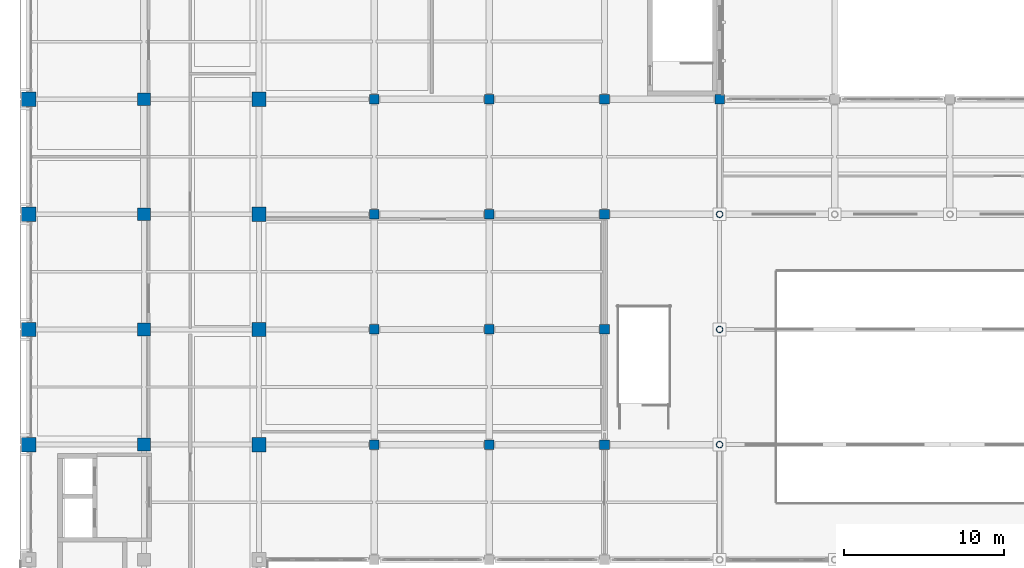
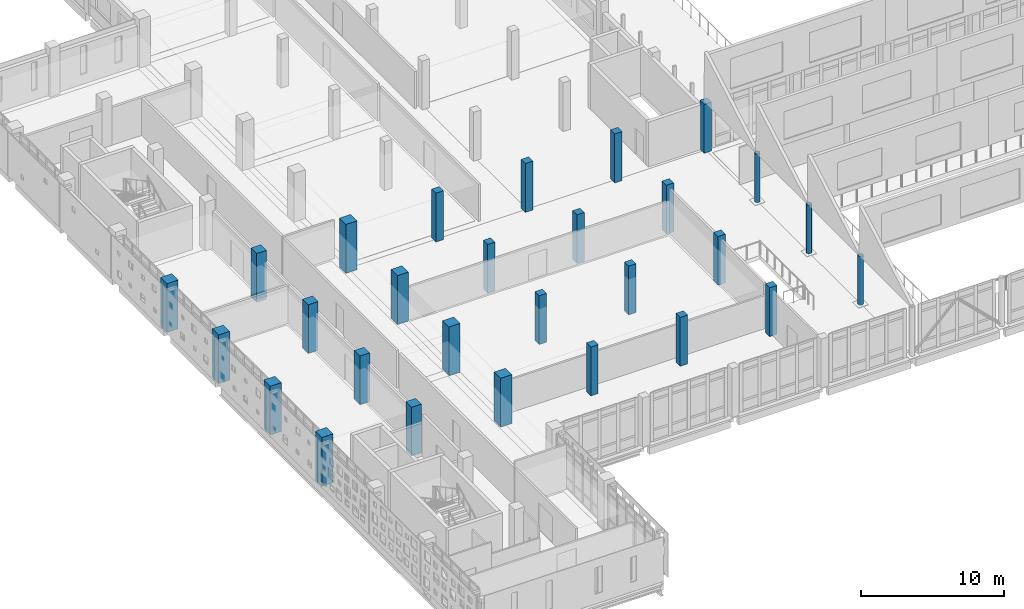
# One storey, part 3 of 62: 28 columns.
"""IFC4 building model written with IfcOpenShell, lengths in metres."""

import ifcopenshell
import ifcopenshell.guid

model = None  # the IFC model being written
_history = None  # IfcOwnerHistory: only IFC2X3 demands one
_inside = {}  # id of a spatial element -> (the spatial element, [elements in it])
_under = {}  # id of a project, library or spatial element -> (it, [spatial elements below it])
_declared = {}  # id of a project -> (the project, [libraries it declares])
_typed = {}  # id of a type object -> (the type object, [elements of that type])
_made_of = {}  # id of a material, layer set ... -> (it, [elements and type objects made of it])


def new_model(schema):
    """Start an empty IFC model of exactly this schema.

    Asked for "IFC4X3", IfcOpenShell would pick the latest addendum, in which some entities
    have other attributes; the version numbers below select the first issue.
    IFC2X3 requires an IfcOwnerHistory on every rooted entity: one is made here for all.
    """
    global model, _history
    if schema == "IFC4X3":
        model = ifcopenshell.file(schema_version=(4, 3, 0, 0))
    else:
        model = ifcopenshell.file(schema=schema)
    _inside.clear()
    _under.clear()
    _declared.clear()
    _typed.clear()
    _made_of.clear()
    _history = None
    if model.schema == "IFC2X3":
        org = make("IfcOrganization", Name="unknown")
        user = make(
            "IfcPersonAndOrganization",
            ThePerson=make("IfcPerson", FamilyName="unknown"),
            TheOrganization=org,
        )
        app = make(
            "IfcApplication",
            ApplicationDeveloper=org,
            Version="unknown",
            ApplicationFullName="unknown",
            ApplicationIdentifier="unknown",
        )
        _history = make(
            "IfcOwnerHistory",
            OwningUser=user,
            OwningApplication=app,
            ChangeAction="ADDED",
            CreationDate=0,
        )
    return model


def make(cls, **values):
    """One entity of the class cls with the attributes given. An attribute that is None is left unset."""
    return model.create_entity(
        cls, **{name: value for name, value in values.items() if value is not None}
    )


def rooted(cls, **values):
    """An entity with a GlobalId (a new one), such as an element, a storey or a relation."""
    return make(cls, GlobalId=ifcopenshell.guid.new(), OwnerHistory=_history, **values)


def si_unit(unit_type, name, prefix=None):
    """IfcSIUnit, for example si_unit("LENGTHUNIT", "METRE", prefix="MILLI")."""
    return make("IfcSIUnit", UnitType=unit_type, Prefix=prefix, Name=name)


def assignment(units):
    """IfcUnitAssignment: the units of a project."""
    return None if units is None else make("IfcUnitAssignment", Units=units)


def point(xyz):
    """IfcCartesianPoint."""
    return None if xyz is None else make("IfcCartesianPoint", Coordinates=xyz)


def direction(xyz):
    """IfcDirection."""
    return None if xyz is None else make("IfcDirection", DirectionRatios=xyz)


def frame(location, z_axis=None, x_axis=None):
    """IfcAxis2Placement3D, a coordinate frame: its origin and axes. An axis left out is left unset."""
    return make(
        "IfcAxis2Placement3D",
        Location=point(location),
        Axis=direction(z_axis),
        RefDirection=direction(x_axis),
    )


def frame_2d(location, x_axis=None):
    """IfcAxis2Placement2D, a coordinate frame in the plane: its origin and x axis."""
    return make(
        "IfcAxis2Placement2D", Location=point(location), RefDirection=direction(x_axis)
    )


def origin():
    """The frame at (0, 0, 0) with its axes left unset."""
    return frame((0.0, 0.0, 0.0))


def origin_2d():
    """The frame at (0, 0) in the plane with its x axis left unset."""
    return frame_2d((0.0, 0.0))


def place(relative_to, where):
    """IfcLocalPlacement: puts the frame where relative to a parent placement (None: the world)."""
    return make(
        "IfcLocalPlacement", PlacementRelTo=relative_to, RelativePlacement=where
    )


def context(
    kind, dimensions, precision=None, world=None, true_north=None, identifier=None
):
    """IfcGeometricRepresentationContext, for example the 3D "Model" context."""
    return make(
        "IfcGeometricRepresentationContext",
        ContextIdentifier=identifier,
        ContextType=kind,
        CoordinateSpaceDimension=dimensions,
        Precision=precision,
        WorldCoordinateSystem=world,
        TrueNorth=true_north,
    )


def subcontext(parent, identifier, kind, view, scale=None):
    """IfcGeometricRepresentationSubContext, for example "Body" below "Model"."""
    return make(
        "IfcGeometricRepresentationSubContext",
        ContextIdentifier=identifier,
        ContextType=kind,
        ParentContext=parent,
        TargetScale=scale,
        TargetView=view,
    )


def project(units=None, contexts=None):
    """IfcProject with its units and contexts."""
    return rooted(
        "IfcProject",
        Name="project",
        RepresentationContexts=contexts,
        UnitsInContext=assignment(units),
    )


def spatial(cls, under=None, at=None, **own):
    """A site, building, storey or space (cls), placed at a placement, below another one or the project."""
    s = rooted(cls, ObjectPlacement=at, **own)
    if under is not None:
        _under.setdefault(under.id(), (under, []))[1].append(s)
    return s


def profile(cls, at=None, kind="AREA", **sizes):
    """A parametric profile (cls). Its sizes go by their IFC names, for example OverallWidth=200.0."""
    return make(cls, ProfileType=kind, Position=at, **sizes)


def rectangle(**sizes):
    """IfcRectangleProfileDef."""
    return profile("IfcRectangleProfileDef", **sizes)


def hollow_circle(**sizes):
    """IfcCircleHollowProfileDef."""
    return profile("IfcCircleHollowProfileDef", **sizes)


def extrude(swept, where, along, depth):
    """IfcExtrudedAreaSolid: the profile swept, set in the frame where, extruded along a direction by depth."""
    return make(
        "IfcExtrudedAreaSolid",
        SweptArea=swept,
        Position=where,
        ExtrudedDirection=direction(along),
        Depth=depth,
    )


def shape(context_of_items, identifier, shape_type, items):
    """IfcShapeRepresentation: the items that make up one representation, for example the "Body"."""
    return make(
        "IfcShapeRepresentation",
        ContextOfItems=context_of_items,
        RepresentationIdentifier=identifier,
        RepresentationType=shape_type,
        Items=items,
    )


def material(Name=None, Category=None):
    """IfcMaterial."""
    return make("IfcMaterial", Name=Name, Category=Category)


def material_profile(
    of_material, cross_section, Name=None, Category=None, Priority=None
):
    """IfcMaterialProfile: a cross section and its material."""
    return make(
        "IfcMaterialProfile",
        Name=Name,
        Material=of_material,
        Profile=cross_section,
        Priority=Priority,
        Category=Category,
    )


def profile_set(profiles, Name=None, composite=None):
    """IfcMaterialProfileSet."""
    return make(
        "IfcMaterialProfileSet",
        Name=Name,
        MaterialProfiles=profiles,
        CompositeProfile=composite,
    )


def made_of(thing, what):
    """Note that an element or type object is made of a material, layer set ...; save() writes the relation."""
    if what is not None:
        _made_of.setdefault(what.id(), (what, []))[1].append(thing)
    return thing


def type_object(cls, material=None, **own):
    """A type object (cls), such as IfcWallType, which elements share."""
    return made_of(rooted(cls, **own), material)


def element(
    cls,
    number,
    at=None,
    inside=None,
    cuts=None,
    type_object=None,
    material=None,
    context=None,
    identifier="Body",
    shape_type=None,
    held_by="IfcProductDefinitionShape",
    body=None,
    shapes=None,
    **own,
):
    """One element of the class cls, such as IfcWall. Its Tag is "e" and its number.

    at: its placement. inside: the storey or other place that contains it. cuts: it is an
    opening in that element (IfcRelVoidsElement). A single representation is given by context,
    identifier, shape_type and body (its items); several are given by shapes. held_by: the class
    of the entity that holds the representations. save() writes the other relations.
    """
    e = rooted(cls, Tag="e%d" % number, ObjectPlacement=at, **own)
    if body is not None:
        shapes = [shape(context, identifier, shape_type, body)]
    if shapes is not None:
        e.Representation = make(held_by, Representations=shapes)
    if inside is not None:
        _inside.setdefault(inside.id(), (inside, []))[1].append(e)
    if cuts is not None:
        rooted(
            "IfcRelVoidsElement", RelatingBuildingElement=cuts, RelatedOpeningElement=e
        )
    if type_object is not None:
        _typed.setdefault(type_object.id(), (type_object, []))[1].append(e)
    return made_of(e, material)


def aggregate(whole, parts):
    """IfcRelAggregates: a whole, such as a stair, and the parts it consists of."""
    return rooted("IfcRelAggregates", RelatingObject=whole, RelatedObjects=parts)


def save(model, path):
    """Write the relations noted so far, then the file.

    IfcRelAggregates (storeys below a building ...), IfcRelContainedInSpatialStructure (elements
    in a storey), IfcRelDefinesByType, IfcRelAssociatesMaterial and IfcRelDeclares: one each for
    every whole, place, type object, material and project.
    """
    for whole, parts in _under.values():
        aggregate(whole, parts)
    for where, things in _inside.values():
        rooted(
            "IfcRelContainedInSpatialStructure",
            RelatedElements=things,
            RelatingStructure=where,
        )
    for kind, things in _typed.values():
        rooted("IfcRelDefinesByType", RelatedObjects=things, RelatingType=kind)
    for what, things in _made_of.values():
        rooted("IfcRelAssociatesMaterial", RelatedObjects=things, RelatingMaterial=what)
    for by, libraries in _declared.values():
        rooted("IfcRelDeclares", RelatingContext=by, RelatedDefinitions=libraries)
    model.write(path)


model = new_model("IFC4")

# Units and contexts
model_context = context("Model", 3, precision=1e-05, world=origin(), true_north=direction((0.0, 1.0)))
body_context = subcontext(model_context, "Body", "Model", "MODEL_VIEW")
ifc_project = project(units=[si_unit("LENGTHUNIT", "METRE"), si_unit("AREAUNIT", "SQUARE_METRE"), si_unit("VOLUMEUNIT", "CUBIC_METRE"), si_unit("PLANEANGLEUNIT", "RADIAN"), si_unit("MASSUNIT", "GRAM", prefix="KILO")], contexts=[model_context])

# Site, building, storey
site_placement = place(None, origin())
site = spatial("IfcSite", under=ifc_project, at=site_placement, CompositionType="ELEMENT")
building_placement = place(site_placement, origin())
building = spatial("IfcBuilding", under=site, at=building_placement, Name="Valkovuoma Quantum and Materials Research Institute", CompositionType="ELEMENT")
storey_placement = place(building_placement, frame((0.0, 0.0, 13.1201171875)))
storey = spatial("IfcBuildingStorey", under=building, at=storey_placement, Name="L03", CompositionType="ELEMENT", Elevation=13.1201171875)

# Columns
ifc_material_1 = material(Name="Steel S355J2H", Category="steel")
ifc_material_profile_1 = material_profile(ifc_material_1, hollow_circle(Radius=0.203125, WallThickness=0.01611328125, at=origin_2d()), Name="Steel S355J2H")
ifc_profile_set_1 = profile_set([ifc_material_profile_1], Name="Steel S355J2H")
column_type_1 = type_object("IfcColumnType", Name="Col-C-CHS406", PredefinedType="COLUMN", material=ifc_profile_set_1)
for number, where, z_axis, x_axis, name in (
    (1, (43.199951171875, 43.199951171875, 0.0), (0.0, 0.0, 1.0), (1.0, 0.0, 0.0), "L03 column 07G"),
    (2, (43.199951171875, 50.39990234375, 0.0), (0.0, 0.0, 1.0), (1.0, 0.0, 0.0), "L03 column 07H"),
    (3, (43.199951171875, 57.60009765625, 0.0), (0.0, 0.0, 1.0), (1.0, 0.0, 0.0), "L03 column 07J"),
):
    element("IfcColumn", number, at=place(storey_placement, frame(where, z_axis=z_axis, x_axis=x_axis)), inside=storey, type_object=column_type_1, Name=name, PredefinedType="COLUMN", context=body_context, shape_type="SweptSolid", body=[
        extrude(hollow_circle(Radius=0.203125, WallThickness=0.01611328125, at=origin_2d()), origin(), (0.0, 0.0, 1.0), 4.159912109375),
    ])
ifc_material_2 = material(Name="Concrete C40/50", Category="concrete")
ifc_material_profile_2 = material_profile(ifc_material_2, rectangle(XDim=0.60009765625, YDim=0.60009765625, at=origin_2d()), Name="Concrete C40/50")
ifc_profile_set_2 = profile_set([ifc_material_profile_2], Name="Concrete C40/50")
column_type_2 = type_object("IfcColumnType", Name="Col-C-RC600", PredefinedType="COLUMN", material=ifc_profile_set_2)
for number, where, z_axis, x_axis, name in (
    (4, (21.60009765625, 43.199951171875, 0.0), (0.0, 0.0, 1.0), (1.0, 0.0, 0.0), "L03 column 04G"),
    (5, (21.60009765625, 50.39990234375, 0.0), (0.0, 0.0, 1.0), (1.0, 0.0, 0.0), "L03 column 04H"),
    (6, (21.60009765625, 57.60009765625, 0.0), (0.0, 0.0, 1.0), (1.0, 0.0, 0.0), "L03 column 04J"),
    (7, (21.60009765625, 64.800048828125, 0.0), (0.0, 0.0, 1.0), (1.0, 0.0, 0.0), "L03 column 04K"),
    (8, (28.800048828125, 43.199951171875, 0.0), (0.0, 0.0, 1.0), (1.0, 0.0, 0.0), "L03 column 05G"),
    (9, (28.800048828125, 50.39990234375, 0.0), (0.0, 0.0, 1.0), (1.0, 0.0, 0.0), "L03 column 05H"),
    (10, (28.800048828125, 57.60009765625, 0.0), (0.0, 0.0, 1.0), (1.0, 0.0, 0.0), "L03 column 05J"),
    (11, (28.800048828125, 64.800048828125, 0.0), (0.0, 0.0, 1.0), (1.0, 0.0, 0.0), "L03 column 05K"),
    (12, (36.0, 43.199951171875, 0.0), (0.0, 0.0, 1.0), (1.0, 0.0, 0.0), "L03 column 06G"),
    (13, (36.0, 50.39990234375, 0.0), (0.0, 0.0, 1.0), (1.0, 0.0, 0.0), "L03 column 06H"),
    (14, (36.0, 57.60009765625, 0.0), (0.0, 0.0, 1.0), (1.0, 0.0, 0.0), "L03 column 06J"),
    (15, (36.0, 64.800048828125, 0.0), (0.0, 0.0, 1.0), (1.0, 0.0, 0.0), "L03 column 06K"),
    (16, (43.199951171875, 64.800048828125, 0.0), (0.0, 0.0, 1.0), (1.0, 0.0, 0.0), "L03 column 07K"),
):
    element("IfcColumn", number, at=place(storey_placement, frame(where, z_axis=z_axis, x_axis=x_axis)), inside=storey, type_object=column_type_2, Name=name, PredefinedType="COLUMN", context=body_context, shape_type="SweptSolid", body=[
        extrude(rectangle(XDim=0.60009765625, YDim=0.60009765625, at=origin_2d()), origin(), (0.0, 0.0, 1.0), 4.159912109375),
    ])
ifc_material_3 = material(Name="Concrete C50/60", Category="concrete")
ifc_material_profile_3 = material_profile(ifc_material_3, rectangle(XDim=0.800048828125, YDim=0.800048828125, at=origin_2d()), Name="Concrete C50/60")
ifc_profile_set_3 = profile_set([ifc_material_profile_3], Name="Concrete C50/60")
column_type_3 = type_object("IfcColumnType", Name="Col-C-RC800", PredefinedType="COLUMN", material=ifc_profile_set_3)
for number, where, z_axis, x_axis, name in (
    (17, (7.199951171875, 43.199951171875, 0.0), (0.0, 0.0, 1.0), (1.0, 0.0, 0.0), "L03 column 02G"),
    (18, (7.199951171875, 50.39990234375, 0.0), (0.0, 0.0, 1.0), (1.0, 0.0, 0.0), "L03 column 02H"),
    (19, (7.199951171875, 57.60009765625, 0.0), (0.0, 0.0, 1.0), (1.0, 0.0, 0.0), "L03 column 02J"),
    (20, (7.199951171875, 64.800048828125, 0.0), (0.0, 0.0, 1.0), (1.0, 0.0, 0.0), "L03 column 02K"),
):
    element("IfcColumn", number, at=place(storey_placement, frame(where, z_axis=z_axis, x_axis=x_axis)), inside=storey, type_object=column_type_3, Name=name, PredefinedType="COLUMN", context=body_context, shape_type="SweptSolid", body=[
        extrude(rectangle(XDim=0.800048828125, YDim=0.800048828125, at=origin_2d()), origin(), (0.0, 0.0, 1.0), 4.159912109375),
    ])
ifc_material_4 = material(Name="Concrete C50/60", Category="concrete")
ifc_material_profile_4 = material_profile(ifc_material_4, rectangle(XDim=0.89990234375, YDim=0.89990234375, at=origin_2d()), Name="Concrete C50/60")
ifc_profile_set_4 = profile_set([ifc_material_profile_4], Name="Concrete C50/60")
column_type_4 = type_object("IfcColumnType", Name="Col-C-RC900", PredefinedType="COLUMN", material=ifc_profile_set_4)
for number, where, z_axis, x_axis, name in (
    (21, (0.0, 43.199951171875, 0.0), (0.0, 0.0, 1.0), (1.0, 0.0, 0.0), "L03 column 01G"),
    (22, (0.0, 50.39990234375, 0.0), (0.0, 0.0, 1.0), (1.0, 0.0, 0.0), "L03 column 01H"),
    (23, (0.0, 57.60009765625, 0.0), (0.0, 0.0, 1.0), (1.0, 0.0, 0.0), "L03 column 01J"),
    (24, (0.0, 64.800048828125, 0.0), (0.0, 0.0, 1.0), (1.0, 0.0, 0.0), "L03 column 01K"),
    (25, (14.39990234375, 43.199951171875, 0.0), (0.0, 0.0, 1.0), (1.0, 0.0, 0.0), "L03 column 03G"),
    (26, (14.39990234375, 50.39990234375, 0.0), (0.0, 0.0, 1.0), (1.0, 0.0, 0.0), "L03 column 03H"),
    (27, (14.39990234375, 57.60009765625, 0.0), (0.0, 0.0, 1.0), (1.0, 0.0, 0.0), "L03 column 03J"),
    (28, (14.39990234375, 64.800048828125, 0.0), (0.0, 0.0, 1.0), (1.0, 0.0, 0.0), "L03 column 03K"),
):
    element("IfcColumn", number, at=place(storey_placement, frame(where, z_axis=z_axis, x_axis=x_axis)), inside=storey, type_object=column_type_4, Name=name, PredefinedType="COLUMN", context=body_context, shape_type="SweptSolid", body=[
        extrude(rectangle(XDim=0.89990234375, YDim=0.89990234375, at=origin_2d()), origin(), (0.0, 0.0, 1.0), 4.159912109375),
    ])

save(model, "model.ifc")
